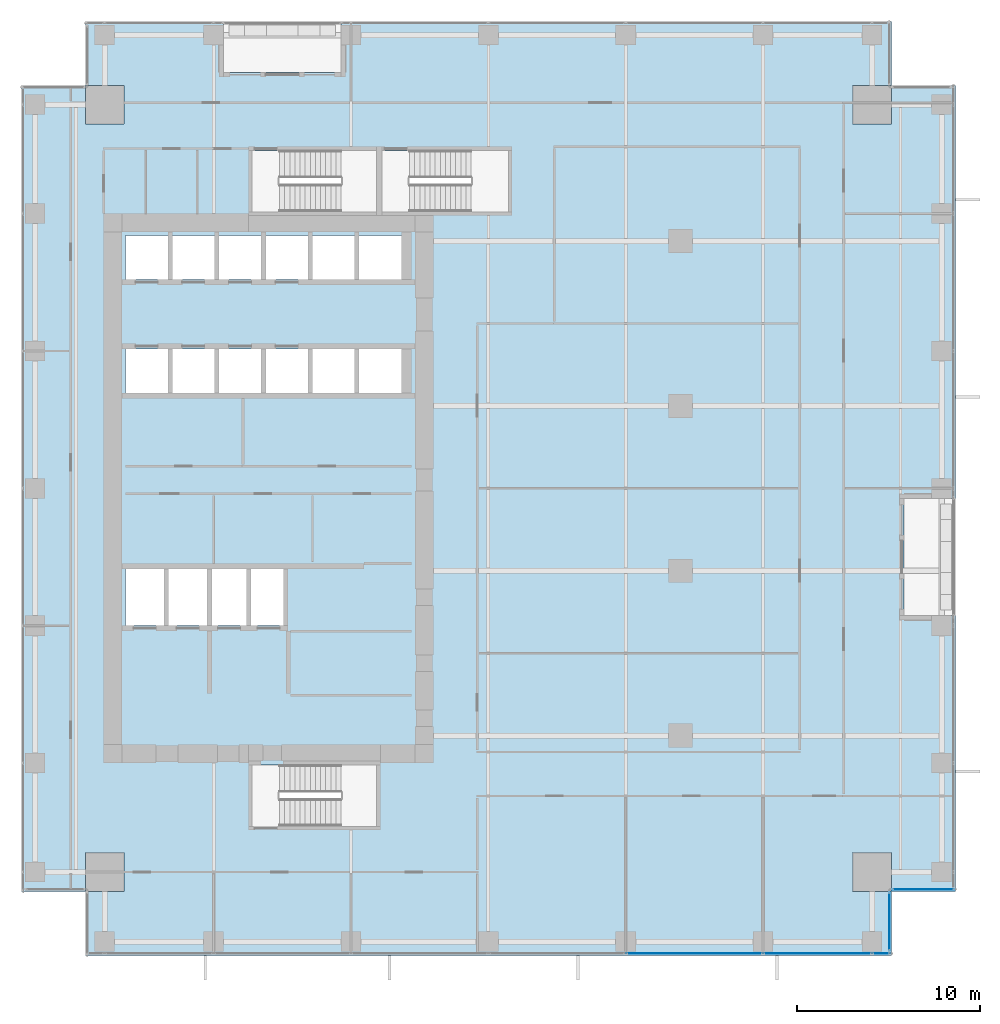
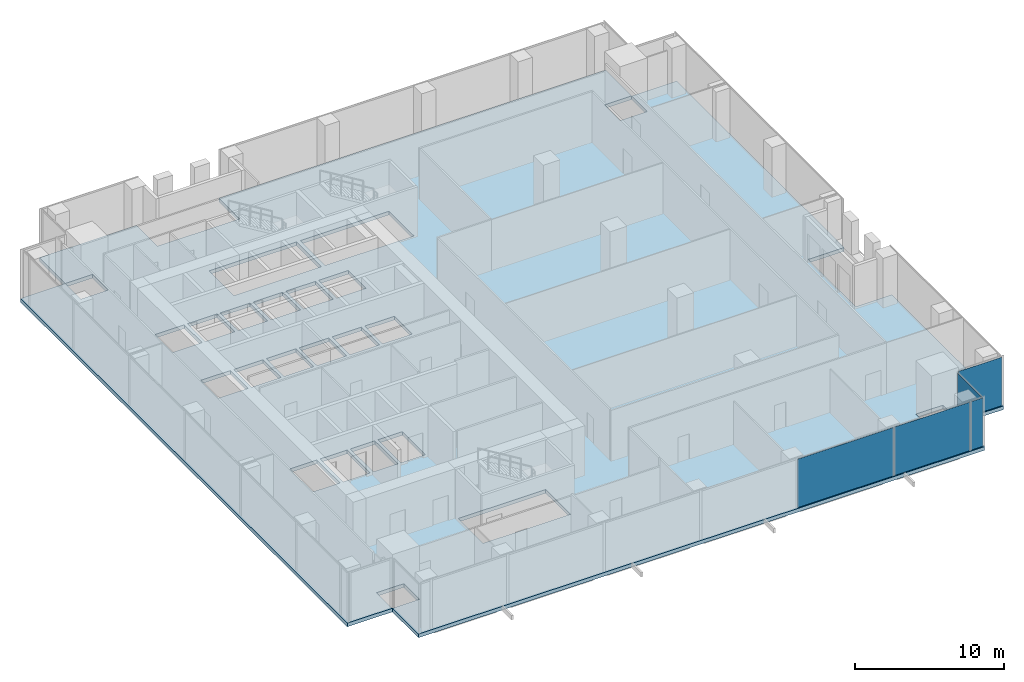
# One storey, part 24 of 34: 5 plates, 1 slab, 3 elements without a shape of their own.
"""IFC4 building model written with IfcOpenShell, lengths in metres."""

from ifc_helpers import new_model, si_unit, direction, frame, origin, origin_2d, place, context, subcontext, project, spatial, polyline, rectangle, outline, extrude, source, transform, mapped, material, layer, layer_set, type_object, element, aggregate, save


model = new_model("IFC4")

# Units and contexts
model_context = context("Model", 3, precision=1e-05, world=origin(), true_north=direction((0.0, 1.0)))
body_context = subcontext(model_context, "Body", "Model", "MODEL_VIEW")
ifc_project = project(units=[si_unit("LENGTHUNIT", "METRE"), si_unit("AREAUNIT", "SQUARE_METRE"), si_unit("VOLUMEUNIT", "CUBIC_METRE"), si_unit("PLANEANGLEUNIT", "RADIAN"), si_unit("MASSUNIT", "GRAM", prefix="KILO")], contexts=[model_context])

# Site, building, storey
site_placement = place(None, origin())
site = spatial("IfcSite", under=ifc_project, at=site_placement, CompositionType="ELEMENT")
building_placement = place(site_placement, origin())
building = spatial("IfcBuilding", under=site, at=building_placement, Name="Khomas Fold Tower", CompositionType="ELEMENT")
storey_placement = place(building_placement, frame((0.0, 0.0, 110.300048828125)))
storey = spatial("IfcBuildingStorey", under=building, at=storey_placement, Name="L23", CompositionType="ELEMENT", Elevation=110.300048828125)

# Slab
ifc_material_1 = material(Name="Concrete C40/50", Category="concrete")
ifc_layer_1 = layer(ifc_material_1, 0.300048828125)
ifc_layer_set_1 = layer_set([ifc_layer_1], Name="Concrete C40/50")
slab_type = type_object("IfcSlabType", Name="RC floor slab 300", PredefinedType="FLOOR", material=ifc_layer_set_1)
shared_shape_1 = source(origin(), body_context, "Body", "SweptSolid", [
    extrude(outline(polyline([(1.5, 5.0), (4.9951171875, 5.0), (4.9951171875, 7.10498046875), (7.10498046875, 7.10498046875), (7.10498046875, 4.9951171875), (5.0, 4.9951171875), (5.0, 1.5), (49.0, 1.5), (49.0, 4.9951171875), (46.89501953125, 4.9951171875), (46.89501953125, 7.10498046875), (49.0048828125, 7.10498046875), (49.0048828125, 5.0), (52.5, 5.0), (52.5, 20.050048828125), (49.699951171875, 20.050048828125), (49.699951171875, 26.449951171875), (52.5, 26.449951171875), (52.5, 49.0), (49.0048828125, 49.0), (49.0048828125, 46.89501953125), (46.89501953125, 46.89501953125), (46.89501953125, 49.0048828125), (49.0, 49.0048828125), (49.0, 52.5), (18.949951171875, 52.5), (18.949951171875, 49.699951171875), (12.550048828125, 49.699951171875), (12.550048828125, 52.5), (5.0, 52.5), (5.0, 49.0048828125), (7.10498046875, 49.0048828125), (7.10498046875, 46.89501953125), (4.9951171875, 46.89501953125), (4.9951171875, 49.0), (1.5, 49.0), (1.5, 5.0)]), holes=[polyline([(7.199951171875, 19.5), (7.199951171875, 22.60009765625), (9.300048828125, 22.60009765625), (9.300048828125, 19.5), (7.199951171875, 19.5)]), polyline([(7.199951171875, 32.199951171875), (7.199951171875, 34.60009765625), (9.5, 34.60009765625), (9.5, 32.199951171875), (7.199951171875, 32.199951171875)]), polyline([(7.199951171875, 38.39990234375), (7.199951171875, 40.800048828125), (9.5, 40.800048828125), (9.5, 38.39990234375), (7.199951171875, 38.39990234375)]), polyline([(9.550048828125, 19.5), (9.550048828125, 22.60009765625), (11.64990234375, 22.60009765625), (11.64990234375, 19.5), (9.550048828125, 19.5)]), polyline([(9.75, 32.199951171875), (9.75, 34.60009765625), (12.050048828125, 34.60009765625), (12.050048828125, 32.199951171875), (9.75, 32.199951171875)]), polyline([(9.75, 38.39990234375), (9.75, 40.800048828125), (12.050048828125, 40.800048828125), (12.050048828125, 38.39990234375), (9.75, 38.39990234375)]), polyline([(11.89990234375, 19.5), (11.89990234375, 22.60009765625), (13.800048828125, 22.60009765625), (13.800048828125, 19.5), (11.89990234375, 19.5)]), polyline([(12.300048828125, 32.199951171875), (12.300048828125, 34.60009765625), (14.60009765625, 34.60009765625), (14.60009765625, 32.199951171875), (12.300048828125, 32.199951171875)]), polyline([(12.300048828125, 38.39990234375), (12.300048828125, 40.800048828125), (14.60009765625, 40.800048828125), (14.60009765625, 38.39990234375), (12.300048828125, 38.39990234375)]), polyline([(14.050048828125, 19.5), (14.050048828125, 22.60009765625), (15.949951171875, 22.60009765625), (15.949951171875, 19.5), (14.050048828125, 19.5)]), polyline([(14.10009765625, 8.550048828125), (14.10009765625, 11.89990234375), (20.89990234375, 11.89990234375), (20.89990234375, 8.550048828125), (14.10009765625, 8.550048828125)]), polyline([(14.10009765625, 42.10009765625), (14.10009765625, 45.449951171875), (20.89990234375, 45.449951171875), (20.89990234375, 42.10009765625), (14.10009765625, 42.10009765625)]), polyline([(14.85009765625, 32.199951171875), (14.85009765625, 34.60009765625), (17.14990234375, 34.60009765625), (17.14990234375, 32.199951171875), (14.85009765625, 32.199951171875)]), polyline([(14.85009765625, 38.39990234375), (14.85009765625, 40.800048828125), (17.14990234375, 40.800048828125), (17.14990234375, 38.39990234375), (14.85009765625, 38.39990234375)]), polyline([(17.39990234375, 32.199951171875), (17.39990234375, 34.60009765625), (19.699951171875, 34.60009765625), (19.699951171875, 32.199951171875), (17.39990234375, 32.199951171875)]), polyline([(17.39990234375, 38.39990234375), (17.39990234375, 40.800048828125), (19.699951171875, 40.800048828125), (19.699951171875, 38.39990234375), (17.39990234375, 38.39990234375)]), polyline([(19.949951171875, 32.199951171875), (19.949951171875, 34.60009765625), (22.25, 34.60009765625), (22.25, 32.199951171875), (19.949951171875, 32.199951171875)]), polyline([(19.949951171875, 38.39990234375), (19.949951171875, 40.800048828125), (22.25, 40.800048828125), (22.25, 38.39990234375), (19.949951171875, 38.39990234375)]), polyline([(21.199951171875, 42.10009765625), (21.199951171875, 45.449951171875), (28.10009765625, 45.449951171875), (28.10009765625, 42.10009765625), (21.199951171875, 42.10009765625)])]), origin(), (0.0, 0.0, 1.0), 0.300048828125),
])
slab_placement = place(storey_placement, frame((0.0, 0.0, -0.300048828125)))
element("IfcSlab", 1, at=slab_placement, inside=storey, type_object=slab_type, Name="S-L23", PredefinedType="FLOOR", context=body_context, shape_type="MappedRepresentation", body=[
    mapped(shared_shape_1, transform((0.0, 0.0, 0.0))),
])

# Curtain wall, plates
ifc_material_2 = material(Name="Aluminium framed double glazing", Category="aluminium")
curtain_wall_type = type_object("IfcCurtainWallType", Name="SK-Unitised clear-glass wall, growing floors CW1", PredefinedType="NOTDEFINED", material=ifc_material_2)
curtain_wall_1_placement = place(storey_placement, origin())
curtain_wall_1 = element("IfcCurtainWall", 2, at=curtain_wall_1_placement, inside=storey, type_object=curtain_wall_type, Name="CW1 run L23 00-0", PredefinedType="NOTDEFINED")
ifc_material_3 = material(Name="Clear double glazed unit")
ifc_layer_2 = layer(ifc_material_3, 0.031982421875)
ifc_layer_set_2 = layer_set([ifc_layer_2], Name="Clear double glazed unit")
plate_type = type_object("IfcPlateType", Name="SK-Unitised clear-glass wall, growing floors glass panel CW1-P", PredefinedType="CURTAIN_PANEL", material=ifc_layer_set_2)
shared_shape_2 = source(origin(), body_context, "Body", "SweptSolid", [
    extrude(rectangle(XDim=5.889892578125, YDim=0.031982421875, at=origin_2d()), origin(), (0.0, 0.0, 1.0), 3.97998046875),
])
plate_1_placement = place(storey_placement, frame((44.97509765625, 1.60009765625, 0.0), z_axis=(0.0, 0.0, 1.0), x_axis=(1.0, 0.0, 0.0)))
plate_1 = element("IfcPlate", 3, at=plate_1_placement, type_object=plate_type, Name="CW1 glass panel 7", PredefinedType="CURTAIN_PANEL", context=body_context, shape_type="MappedRepresentation", body=[
    mapped(shared_shape_2, transform((0.0, 0.0, 0.0))),
])
shared_shape_3 = source(origin(), body_context, "Body", "SweptSolid", [
    extrude(rectangle(XDim=7.43994140625, YDim=0.031982421875, at=origin_2d()), origin(), (0.0, 0.0, 1.0), 3.97998046875),
])
plate_2_placement = place(storey_placement, frame((38.25, 1.60009765625, 0.0), z_axis=(0.0, 0.0, 1.0), x_axis=(1.0, 0.0, 0.0)))
plate_2 = element("IfcPlate", 4, at=plate_2_placement, type_object=plate_type, Name="CW1 glass panel 6", PredefinedType="CURTAIN_PANEL", context=body_context, shape_type="MappedRepresentation", body=[
    mapped(shared_shape_3, transform((0.0, 0.0, 0.0))),
])
shared_shape_4 = source(origin(), body_context, "Body", "SweptSolid", [
    extrude(rectangle(XDim=0.9599609375, YDim=0.031982421875, at=origin_2d()), origin(), (0.0, 0.0, 1.0), 3.97998046875),
])
plate_3_placement = place(storey_placement, frame((48.4599609375, 1.60009765625, 0.0), z_axis=(0.0, 0.0, 1.0), x_axis=(1.0, 0.0, 0.0)))
plate_3 = element("IfcPlate", 5, at=plate_3_placement, type_object=plate_type, Name="CW1 glass panel 8", PredefinedType="CURTAIN_PANEL", context=body_context, shape_type="MappedRepresentation", body=[
    mapped(shared_shape_4, transform((0.0, 0.0, 0.0))),
])
aggregate(curtain_wall_1, [plate_2, plate_1, plate_3])

# Curtain wall, plate
curtain_wall_2_placement = place(storey_placement, origin())
curtain_wall_2 = element("IfcCurtainWall", 6, at=curtain_wall_2_placement, inside=storey, type_object=curtain_wall_type, Name="CW1 corner return L23 01", PredefinedType="NOTDEFINED")
shared_shape_5 = source(origin(), body_context, "Body", "SweptSolid", [
    extrude(rectangle(XDim=3.179931640625, YDim=0.031982421875, at=origin_2d()), origin(), (0.0, 0.0, 1.0), 3.97998046875),
])
plate_4_placement = place(storey_placement, frame((48.89990234375, 3.35009765625, 0.0), z_axis=(0.0, 0.0, 1.0), x_axis=(0.0, 1.0, 0.0)))
plate_4 = element("IfcPlate", 7, at=plate_4_placement, type_object=plate_type, Name="CW1 glass panel 1", PredefinedType="CURTAIN_PANEL", context=body_context, shape_type="MappedRepresentation", body=[
    mapped(shared_shape_5, transform((0.0, 0.0, 0.0))),
])
aggregate(curtain_wall_2, [plate_4])

curtain_wall_3_placement = place(storey_placement, origin())
curtain_wall_3 = element("IfcCurtainWall", 8, at=curtain_wall_3_placement, inside=storey, type_object=curtain_wall_type, Name="CW1 corner return L23 02", PredefinedType="NOTDEFINED")
shared_shape_6 = source(origin(), body_context, "Body", "SweptSolid", [
    extrude(rectangle(XDim=3.3798828125, YDim=0.031982421875, at=origin_2d()), origin(), (0.0, 0.0, 1.0), 3.97998046875),
])
plate_5_placement = place(storey_placement, frame((50.75, 5.10009765625, 0.0), z_axis=(0.0, 0.0, 1.0), x_axis=(1.0, 0.0, 0.0)))
plate_5 = element("IfcPlate", 9, at=plate_5_placement, type_object=plate_type, Name="CW1 glass panel 1", PredefinedType="CURTAIN_PANEL", context=body_context, shape_type="MappedRepresentation", body=[
    mapped(shared_shape_6, transform((0.0, 0.0, 0.0))),
])
aggregate(curtain_wall_3, [plate_5])

save(model, "model.ifc")
